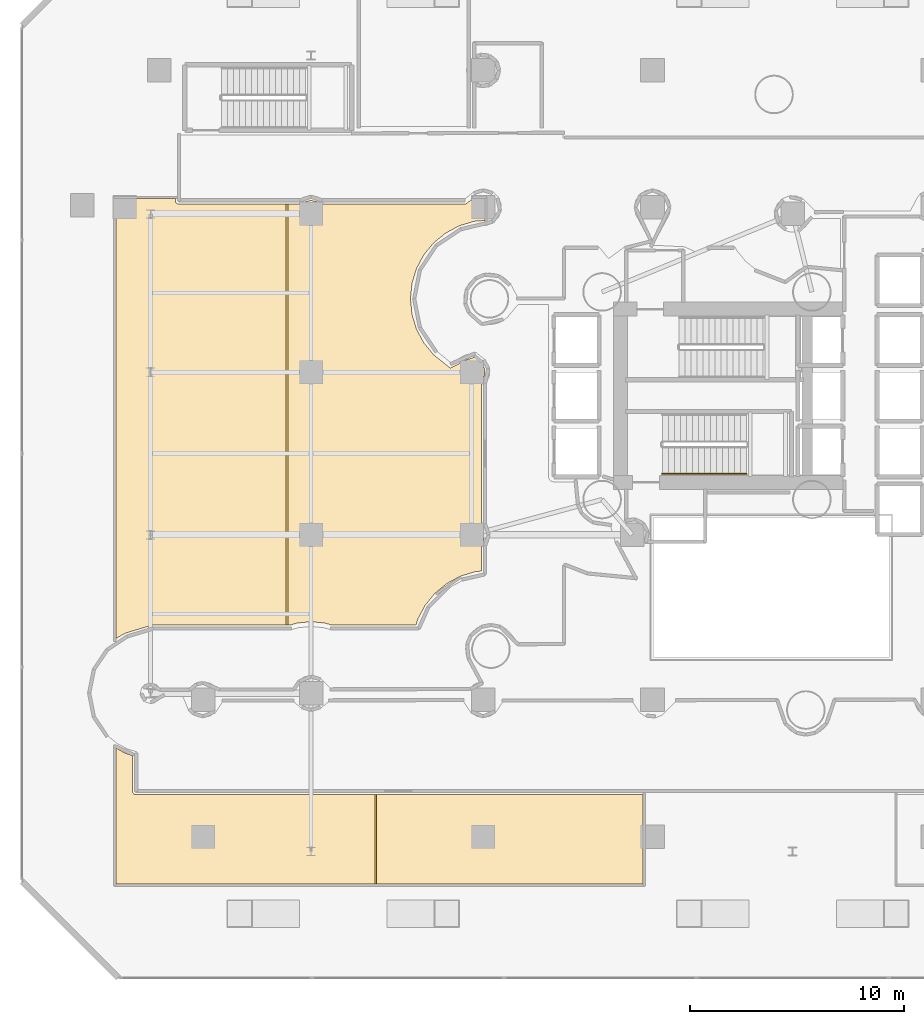
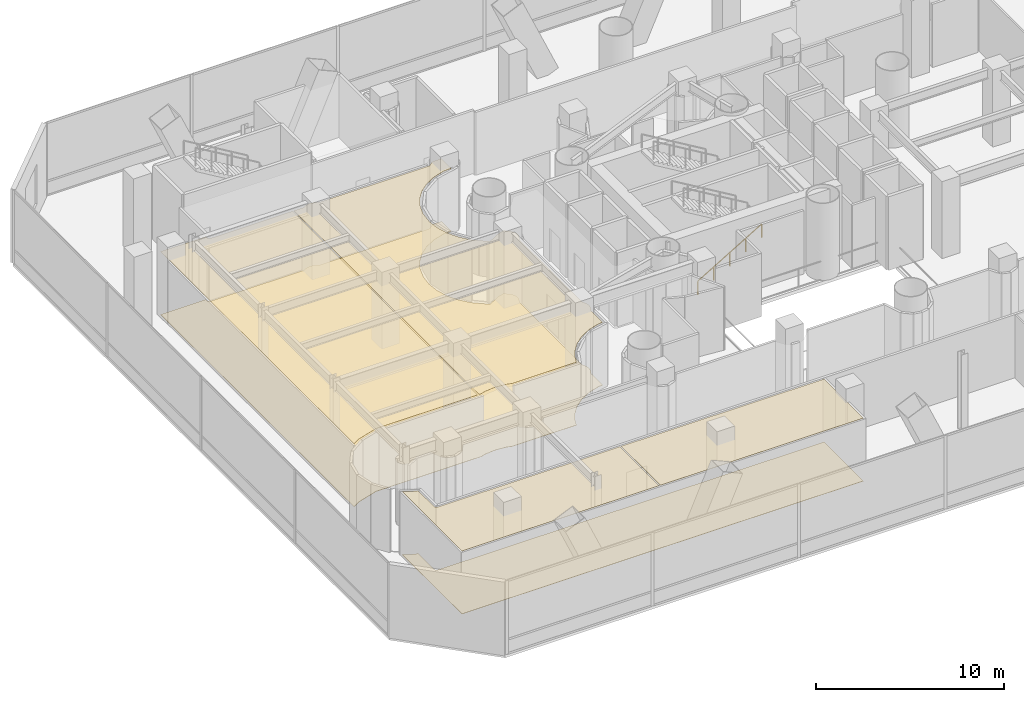
# One storey, part 36 of 42: 6 coverings, 1 railing.
"""IFC4 building model written with IfcOpenShell, lengths in metres."""

from ifc_helpers import new_model, si_unit, direction, frame, origin, origin_2d, place, context, subcontext, project, spatial, polyline, rectangle, outline, extrude, material, layer, layer_set, type_object, element, save


model = new_model("IFC4")

# Units and contexts
model_context = context("Model", 3, precision=1e-05, world=origin(), true_north=direction((0.0, 1.0)))
body_context = subcontext(model_context, "Body", "Model", "MODEL_VIEW")
ifc_project = project(units=[si_unit("LENGTHUNIT", "METRE"), si_unit("AREAUNIT", "SQUARE_METRE"), si_unit("VOLUMEUNIT", "CUBIC_METRE"), si_unit("PLANEANGLEUNIT", "RADIAN"), si_unit("MASSUNIT", "GRAM", prefix="KILO")], contexts=[model_context])

# Site, building, storey
site_placement = place(None, origin())
site = spatial("IfcSite", under=ifc_project, at=site_placement, CompositionType="ELEMENT")
building_placement = place(site_placement, origin())
building = spatial("IfcBuilding", under=site, at=building_placement, Name="Qianvela Tower", CompositionType="ELEMENT")
storey_placement = place(building_placement, frame((0.0, 0.0, 6.0)))
storey = spatial("IfcBuildingStorey", under=building, at=storey_placement, Name="L01", CompositionType="ELEMENT", Elevation=6.0)

# Coverings
ifc_material_1 = material(Name="Perforated Mineral Acoustic Ceiling Tile")
ifc_layer_1 = layer(ifc_material_1, 0.02490234375)
ifc_layer_set_1 = layer_set([ifc_layer_1], Name="Perforated Mineral Acoustic Ceiling Tile")
covering_type_1 = type_object("IfcCoveringType", Name="COV-CEIL-ACOUSTIC-25", PredefinedType="CEILING", material=ifc_layer_set_1)
covering_1_placement = place(storey_placement, frame((0.0, 0.0, 4.074951171875)))
element("IfcCovering", 1, at=covering_1_placement, inside=storey, type_object=covering_type_1, Name="L01 Acoustic Ceiling Bay 1 L01 Student Commons Exhibition Gallery", PredefinedType="CEILING", context=body_context, shape_type="SweptSolid", body=[
    extrude(outline(polyline([(5.8798828125, 5.8798828125), (5.8798828125, 12.244873046875), (6.327392578125, 11.99365234375), (6.335205078125, 11.989990234375), (6.34326171875, 11.98681640625), (6.657958984375, 11.89111328125), (6.657958984375, 10.199951171875), (6.658203125, 10.192626953125), (6.659423828125, 10.185302734375), (6.660888671875, 10.17822265625), (6.663330078125, 10.171142578125), (6.666259765625, 10.16455078125), (6.669921875, 10.157958984375), (6.674072265625, 10.152099609375), (6.6787109375, 10.146240234375), (6.734619140625, 10.084716796875), (6.740478515625, 10.07861328125), (6.7470703125, 10.073486328125), (6.754150390625, 10.06884765625), (6.761474609375, 10.065185546875), (6.769287109375, 10.062255859375), (6.77734375, 10.06005859375), (6.78564453125, 10.05859375), (6.7939453125, 10.058349609375), (17.982666015625, 10.05810546875), (17.982666015625, 5.8798828125), (5.8798828125, 5.8798828125)])), origin(), (0.0, 0.0, 1.0), 0.025146484375),
])
covering_2_placement = place(storey_placement, frame((0.0, 0.0, 4.074951171875)))
element("IfcCovering", 2, at=covering_2_placement, inside=storey, type_object=covering_type_1, Name="L01 Acoustic Ceiling Bay 2 L01 Student Commons Exhibition Gallery", PredefinedType="CEILING", context=body_context, shape_type="SweptSolid", body=[
    extrude(outline(polyline([(18.062744140625, 5.8798828125), (18.062744140625, 10.05810546875), (30.52001953125, 10.05810546875), (30.52001953125, 5.8798828125), (18.062744140625, 5.8798828125)])), origin(), (0.0, 0.0, 1.0), 0.025146484375),
])
covering_3_placement = place(storey_placement, frame((0.0, 0.0, 4.074951171875)))
element("IfcCovering", 3, at=covering_3_placement, inside=storey, type_object=covering_type_1, Name="L01 Acoustic Ceiling Bay 1 L01 Open Study Lounge West", PredefinedType="CEILING", context=body_context, shape_type="SweptSolid", body=[
    extrude(outline(polyline([(7.6123046875, 17.991943359375), (7.6044921875, 17.99169921875), (7.596923828125, 17.990478515625), (7.58935546875, 17.988525390625), (6.343505859375, 17.613037109375), (6.335205078125, 17.610107421875), (6.327392578125, 17.606201171875), (5.8798828125, 17.355224609375), (5.8798828125, 37.919921875), (8.658447265625, 37.919921875), (8.6591796875, 37.78759765625), (8.65966796875, 37.77978515625), (8.660888671875, 37.77197265625), (8.66259765625, 37.764404296875), (8.665283203125, 37.757080078125), (8.668701171875, 37.75), (8.6728515625, 37.743408203125), (8.677490234375, 37.737060546875), (8.6826171875, 37.731201171875), (8.6884765625, 37.72607421875), (8.749267578125, 37.67626953125), (8.755615234375, 37.67138671875), (8.76220703125, 37.66748046875), (8.769287109375, 37.6640625), (8.77685546875, 37.661376953125), (8.784423828125, 37.659423828125), (8.792236328125, 37.658447265625), (8.800048828125, 37.657958984375), (13.83740234375, 37.657958984375), (13.83740234375, 17.991943359375), (7.6123046875, 17.991943359375)])), origin(), (0.0, 0.0, 1.0), 0.025146484375),
])
covering_4_placement = place(storey_placement, frame((0.0, 0.0, 4.074951171875)))
element("IfcCovering", 4, at=covering_4_placement, inside=storey, type_object=covering_type_1, Name="L01 Acoustic Ceiling Bay 2 L01 Open Study Lounge West", PredefinedType="CEILING", context=body_context, shape_type="SweptSolid", body=[
    extrude(outline(polyline([(22.62841796875, 36.8505859375), (22.61962890625, 36.849365234375), (22.611083984375, 36.847412109375), (21.9326171875, 36.6416015625), (21.925048828125, 36.638916015625), (21.91796875, 36.635498046875), (21.293701171875, 36.3017578125), (21.286865234375, 36.2978515625), (21.280517578125, 36.293212890625), (20.733154296875, 35.843994140625), (20.727294921875, 35.838623046875), (20.72216796875, 35.832763671875), (20.27294921875, 35.285400390625), (20.268310546875, 35.279296875), (20.26416015625, 35.2724609375), (19.930419921875, 34.64794921875), (19.927001953125, 34.640869140625), (19.92431640625, 34.633544921875), (19.71875, 33.955810546875), (19.716796875, 33.9482421875), (19.7158203125, 33.9404296875), (19.646484375, 33.23583984375), (19.64599609375, 33.22802734375), (19.646484375, 33.22021484375), (19.7158203125, 32.515380859375), (19.716796875, 32.5078125), (19.71875, 32.5), (19.92431640625, 31.822509765625), (19.927001953125, 31.815185546875), (19.930419921875, 31.80810546875), (20.26416015625, 31.18359375), (20.268310546875, 31.1767578125), (20.27294921875, 31.17041015625), (20.72216796875, 30.623291015625), (20.727783203125, 30.616943359375), (20.734130859375, 30.611328125), (21.4736328125, 30.022216796875), (21.479736328125, 30.017822265625), (21.486328125, 30.013916015625), (21.493408203125, 30.0107421875), (21.500732421875, 30.00830078125), (21.50830078125, 30.00634765625), (21.515869140625, 30.005126953125), (21.5234375, 30.0048828125), (21.531005859375, 30.00537109375), (21.538818359375, 30.00634765625), (21.546142578125, 30.00830078125), (21.553466796875, 30.0107421875), (21.560546875, 30.013916015625), (22.259521484375, 30.37939453125), (22.63818359375, 30.494384765625), (22.93798828125, 30.248046875), (23.08154296875, 30.033203125), (23.11328125, 29.92919921875), (23.11328125, 29.67919921875), (22.96435546875, 29.328125), (22.961669921875, 29.32080078125), (22.959716796875, 29.31298828125), (22.95849609375, 29.304931640625), (22.9580078125, 29.296875), (22.9580078125, 22.703125), (22.958251953125, 22.69580078125), (22.95947265625, 22.688232421875), (22.961181640625, 22.68115234375), (22.96337890625, 22.674072265625), (22.96630859375, 22.66748046875), (23.075927734375, 22.447509765625), (23.118896484375, 22.232421875), (23.0751953125, 21.951416015625), (22.967041015625, 21.739501953125), (22.9638671875, 21.732421875), (22.96142578125, 21.725341796875), (22.959716796875, 21.718017578125), (22.958740234375, 21.710693359375), (22.958251953125, 21.702880859375), (22.9580078125, 20.5087890625), (22.69140625, 20.482177734375), (22.68359375, 20.481201171875), (22.676025390625, 20.479248046875), (21.99853515625, 20.273681640625), (21.9912109375, 20.27099609375), (21.98388671875, 20.267578125), (21.359619140625, 19.933837890625), (21.352783203125, 19.9296875), (21.3466796875, 19.925048828125), (20.8037109375, 19.47998046875), (20.7978515625, 19.474609375), (20.79248046875, 19.468994140625), (20.335693359375, 18.912353515625), (20.3310546875, 18.906005859375), (20.326904296875, 18.899169921875), (19.996337890625, 18.27978515625), (19.992919921875, 18.27294921875), (19.990478515625, 18.265380859375), (19.9072265625, 17.991943359375), (15.93701171875, 17.991943359375), (15.659423828125, 18.075927734375), (15.652099609375, 18.077880859375), (15.644287109375, 18.078857421875), (15.0078125, 18.1416015625), (15.0, 18.14208984375), (14.9921875, 18.1416015625), (14.355712890625, 18.078857421875), (14.347900390625, 18.077880859375), (14.340576171875, 18.075927734375), (14.06298828125, 17.991943359375), (13.91748046875, 17.991943359375), (13.91748046875, 37.657958984375), (14.496826171875, 37.657958984375), (14.50439453125, 37.658203125), (14.51171875, 37.659423828125), (14.518798828125, 37.6611328125), (14.52587890625, 37.663330078125), (14.53271484375, 37.66650390625), (14.752685546875, 37.77587890625), (15.0, 37.8251953125), (15.247314453125, 37.77587890625), (15.46728515625, 37.66650390625), (15.47412109375, 37.663330078125), (15.481201171875, 37.6611328125), (15.48828125, 37.659423828125), (15.49560546875, 37.658203125), (15.503173828125, 37.657958984375), (22.2021484375, 37.657958984375), (22.209716796875, 37.658203125), (22.217041015625, 37.659423828125), (22.224365234375, 37.6611328125), (22.2314453125, 37.66357421875), (22.23828125, 37.66650390625), (22.244873046875, 37.67041015625), (22.2509765625, 37.674560546875), (22.57080078125, 37.919921875), (23.1201171875, 37.919921875), (23.1201171875, 36.88818359375), (22.62841796875, 36.8505859375)])), origin(), (0.0, 0.0, 1.0), 0.025146484375),
])
ifc_material_2 = material(Name="Engineered Acoustic Oak Timber Flooring", Category="wood")
ifc_layer_2 = layer(ifc_material_2, 0.02001953125)
ifc_layer_set_2 = layer_set([ifc_layer_2], Name="Engineered Acoustic Oak Timber Flooring")
covering_type_2 = type_object("IfcCoveringType", Name="COV-FLOOR-OAK-20", PredefinedType="FLOORING", material=ifc_layer_set_2)
covering_5_placement = place(storey_placement, origin())
element("IfcCovering", 5, at=covering_5_placement, inside=storey, type_object=covering_type_2, Name="L01 Finish Flooring L01 Student Commons Exhibition Gallery", PredefinedType="FLOORING", context=body_context, shape_type="SweptSolid", body=[
    extrude(outline(polyline([(30.52001953125, 5.8798828125), (5.8798828125, 5.8798828125), (5.8798828125, 12.244873046875), (6.327392578125, 11.99365234375), (6.335205078125, 11.989990234375), (6.34326171875, 11.98681640625), (6.657958984375, 11.89111328125), (6.657958984375, 10.199951171875), (6.658203125, 10.192626953125), (6.659423828125, 10.185302734375), (6.660888671875, 10.17822265625), (6.663330078125, 10.171142578125), (6.666259765625, 10.16455078125), (6.669921875, 10.157958984375), (6.674072265625, 10.152099609375), (6.6787109375, 10.146240234375), (6.734619140625, 10.084716796875), (6.740478515625, 10.07861328125), (6.7470703125, 10.073486328125), (6.754150390625, 10.06884765625), (6.761474609375, 10.065185546875), (6.769287109375, 10.062255859375), (6.77734375, 10.06005859375), (6.78564453125, 10.05859375), (6.7939453125, 10.058349609375), (30.52001953125, 10.05810546875), (30.52001953125, 5.8798828125)])), origin(), (0.0, 0.0, 1.0), 0.02001953125),
])
covering_6_placement = place(storey_placement, origin())
element("IfcCovering", 6, at=covering_6_placement, inside=storey, type_object=covering_type_2, Name="L01 Finish Flooring L01 Open Study Lounge West", PredefinedType="FLOORING", context=body_context, shape_type="SweptSolid", body=[
    extrude(outline(polyline([(23.1201171875, 36.88818359375), (22.62841796875, 36.8505859375), (22.61962890625, 36.849365234375), (22.611083984375, 36.847412109375), (21.9326171875, 36.6416015625), (21.925048828125, 36.638916015625), (21.91796875, 36.635498046875), (21.293701171875, 36.3017578125), (21.286865234375, 36.2978515625), (21.280517578125, 36.293212890625), (20.733154296875, 35.843994140625), (20.727294921875, 35.838623046875), (20.72216796875, 35.832763671875), (20.27294921875, 35.285400390625), (20.268310546875, 35.279296875), (20.26416015625, 35.2724609375), (19.930419921875, 34.64794921875), (19.927001953125, 34.640869140625), (19.92431640625, 34.633544921875), (19.71875, 33.955810546875), (19.716796875, 33.9482421875), (19.7158203125, 33.9404296875), (19.646484375, 33.23583984375), (19.64599609375, 33.22802734375), (19.646484375, 33.22021484375), (19.7158203125, 32.515380859375), (19.716796875, 32.5078125), (19.71875, 32.5), (19.92431640625, 31.822509765625), (19.927001953125, 31.815185546875), (19.930419921875, 31.80810546875), (20.26416015625, 31.18359375), (20.268310546875, 31.1767578125), (20.27294921875, 31.17041015625), (20.72216796875, 30.623291015625), (20.727783203125, 30.616943359375), (20.734130859375, 30.611328125), (21.4736328125, 30.022216796875), (21.479736328125, 30.017822265625), (21.486328125, 30.013916015625), (21.493408203125, 30.0107421875), (21.500732421875, 30.00830078125), (21.50830078125, 30.00634765625), (21.515869140625, 30.005126953125), (21.5234375, 30.0048828125), (21.531005859375, 30.00537109375), (21.538818359375, 30.00634765625), (21.546142578125, 30.00830078125), (21.553466796875, 30.0107421875), (21.560546875, 30.013916015625), (22.259521484375, 30.37939453125), (22.63818359375, 30.494384765625), (22.93798828125, 30.248046875), (23.08154296875, 30.033203125), (23.11328125, 29.92919921875), (23.11328125, 29.67919921875), (22.96435546875, 29.328125), (22.961669921875, 29.32080078125), (22.959716796875, 29.31298828125), (22.95849609375, 29.304931640625), (22.9580078125, 29.296875), (22.9580078125, 22.703125), (22.958251953125, 22.69580078125), (22.95947265625, 22.688232421875), (22.961181640625, 22.68115234375), (22.96337890625, 22.674072265625), (22.96630859375, 22.66748046875), (23.075927734375, 22.447509765625), (23.118896484375, 22.232421875), (23.0751953125, 21.951416015625), (22.967041015625, 21.739501953125), (22.9638671875, 21.732421875), (22.96142578125, 21.725341796875), (22.959716796875, 21.718017578125), (22.958740234375, 21.710693359375), (22.958251953125, 21.702880859375), (22.9580078125, 20.5087890625), (22.69140625, 20.482177734375), (22.68359375, 20.481201171875), (22.676025390625, 20.479248046875), (21.99853515625, 20.273681640625), (21.9912109375, 20.27099609375), (21.98388671875, 20.267578125), (21.359619140625, 19.933837890625), (21.352783203125, 19.9296875), (21.3466796875, 19.925048828125), (20.8037109375, 19.47998046875), (20.7978515625, 19.474609375), (20.79248046875, 19.468994140625), (20.335693359375, 18.912353515625), (20.3310546875, 18.906005859375), (20.326904296875, 18.899169921875), (19.996337890625, 18.27978515625), (19.992919921875, 18.27294921875), (19.990478515625, 18.265380859375), (19.9072265625, 17.991943359375), (15.93701171875, 17.991943359375), (15.659423828125, 18.075927734375), (15.652099609375, 18.077880859375), (15.644287109375, 18.078857421875), (15.0078125, 18.1416015625), (15.0, 18.14208984375), (14.9921875, 18.1416015625), (14.355712890625, 18.078857421875), (14.347900390625, 18.077880859375), (14.340576171875, 18.075927734375), (14.06298828125, 17.991943359375), (7.6123046875, 17.991943359375), (7.6044921875, 17.99169921875), (7.596923828125, 17.990478515625), (7.58935546875, 17.988525390625), (6.343505859375, 17.613037109375), (6.335205078125, 17.610107421875), (6.327392578125, 17.606201171875), (5.8798828125, 17.355224609375), (5.8798828125, 37.919921875), (8.658447265625, 37.919921875), (8.6591796875, 37.78759765625), (8.65966796875, 37.77978515625), (8.660888671875, 37.77197265625), (8.66259765625, 37.764404296875), (8.665283203125, 37.757080078125), (8.668701171875, 37.75), (8.6728515625, 37.743408203125), (8.677490234375, 37.737060546875), (8.6826171875, 37.731201171875), (8.6884765625, 37.72607421875), (8.749267578125, 37.67626953125), (8.755615234375, 37.67138671875), (8.76220703125, 37.66748046875), (8.769287109375, 37.6640625), (8.77685546875, 37.661376953125), (8.784423828125, 37.659423828125), (8.792236328125, 37.658447265625), (8.800048828125, 37.657958984375), (14.496826171875, 37.657958984375), (14.50439453125, 37.658203125), (14.51171875, 37.659423828125), (14.518798828125, 37.6611328125), (14.52587890625, 37.663330078125), (14.53271484375, 37.66650390625), (14.752685546875, 37.77587890625), (15.0, 37.8251953125), (15.247314453125, 37.77587890625), (15.46728515625, 37.66650390625), (15.47412109375, 37.663330078125), (15.481201171875, 37.6611328125), (15.48828125, 37.659423828125), (15.49560546875, 37.658203125), (15.503173828125, 37.657958984375), (22.2021484375, 37.657958984375), (22.209716796875, 37.658203125), (22.217041015625, 37.659423828125), (22.224365234375, 37.6611328125), (22.2314453125, 37.66357421875), (22.23828125, 37.66650390625), (22.244873046875, 37.67041015625), (22.2509765625, 37.674560546875), (22.57080078125, 37.919921875), (23.1201171875, 37.919921875), (23.1201171875, 36.88818359375)])), origin(), (0.0, 0.0, 1.0), 0.02001953125),
])

# Railing
ifc_material_3 = material(Name="Brushed Stainless Steel 304", Category="steel")
railing_type = type_object("IfcRailingType", Name="RL-STAIR-HANDRAIL-900", PredefinedType="HANDRAIL", material=ifc_material_3)
railing_placement = place(storey_placement, frame((31.419921875, 25.050048828125, 0.166748046875)))
element("IfcRailing", 7, at=railing_placement, inside=storey, type_object=railing_type, Name="L01 ST-2 stair handrail 1", PredefinedType="HANDRAIL", context=body_context, shape_type="SweptSolid", body=[
    extrude(rectangle(XDim=0.050048828125, YDim=0.0400390625, at=origin_2d()), frame((0.0, 0.0, 0.8798828125), z_axis=(0.859310244771, 0.0, 0.511454693235), x_axis=(0.0, 1.0, 0.0)), (0.0, 0.0, 1.0), 4.56201171875),
    extrude(rectangle(XDim=0.050048828125, YDim=0.050048828125, at=origin_2d()), origin(), (0.0, 0.0, 1.0), 0.85986328125),
    extrude(rectangle(XDim=0.050048828125, YDim=0.050048828125, at=origin_2d()), frame((0.97998046875, 0.0, 0.583251953125)), (0.0, 0.0, 1.0), 0.85986328125),
    extrude(rectangle(XDim=0.050048828125, YDim=0.050048828125, at=origin_2d()), frame((1.9599609375, 0.0, 1.16650390625)), (0.0, 0.0, 1.0), 0.85986328125),
    extrude(rectangle(XDim=0.050048828125, YDim=0.050048828125, at=origin_2d()), frame((2.940185546875, 0.0, 1.75)), (0.0, 0.0, 1.0), 0.85986328125),
    extrude(rectangle(XDim=0.050048828125, YDim=0.050048828125, at=origin_2d()), frame((3.920166015625, 0.0, 2.333251953125)), (0.0, 0.0, 1.0), 0.85986328125),
])

save(model, "model.ifc")
